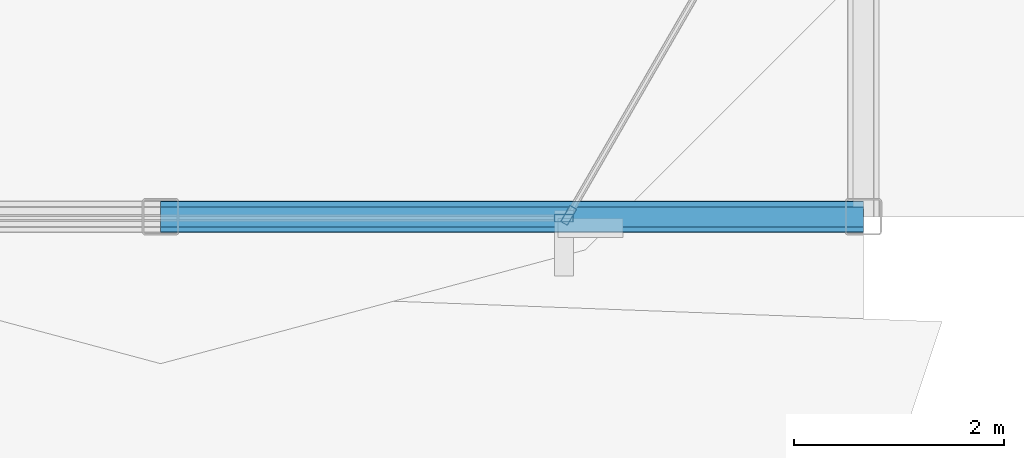
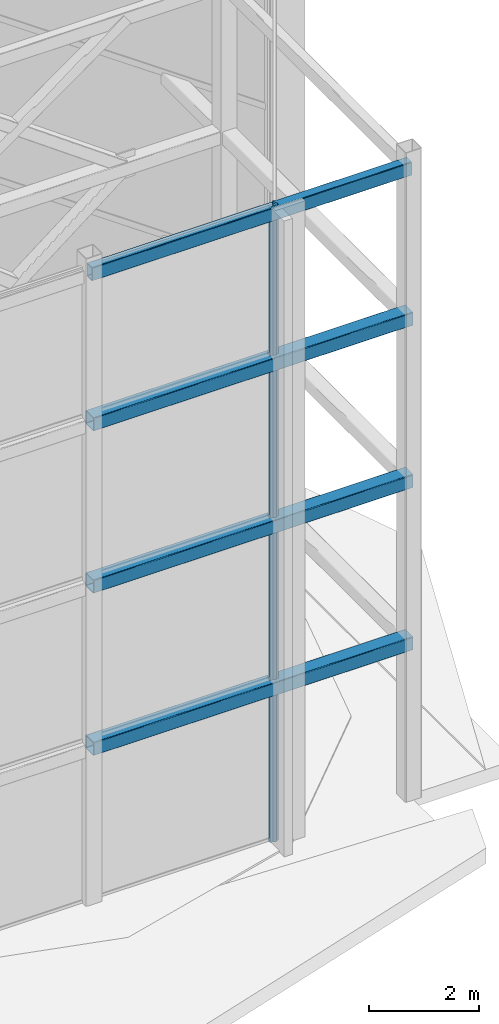
# One storey, part 4 of 24: 4 beams, 2 members, 2 elements without a shape of their own.
"""IFC4 building model written with IfcOpenShell, lengths in metres."""

from ifc_helpers import new_model, si_unit, direction, frame, origin, origin_2d, place, context, subcontext, project, spatial, hollow_rectangle, extrude, material, layer, layer_set, material_profile, profile_set, type_object, element, aggregate, save


model = new_model("IFC4")

# Units and contexts
model_context = context("Model", 3, precision=1e-05, world=origin(), true_north=direction((0.0, 1.0)))
body_context = subcontext(model_context, "Body", "Model", "MODEL_VIEW")
ifc_project = project(units=[si_unit("LENGTHUNIT", "METRE"), si_unit("AREAUNIT", "SQUARE_METRE"), si_unit("VOLUMEUNIT", "CUBIC_METRE"), si_unit("PLANEANGLEUNIT", "RADIAN"), si_unit("MASSUNIT", "GRAM", prefix="KILO")], contexts=[model_context])

# Site, building, storey
site_placement = place(None, origin())
site = spatial("IfcSite", under=ifc_project, at=site_placement, CompositionType="ELEMENT")
building_placement = place(site_placement, origin())
building = spatial("IfcBuilding", under=site, at=building_placement, Name="Solvaryn Broadcast Tower", CompositionType="ELEMENT")
storey_placement = place(building_placement, frame((0.0, 0.0, 307.800048828125)))
storey = spatial("IfcBuildingStorey", under=building, at=storey_placement, Name="Roof Main", CompositionType="ELEMENT", Elevation=307.800048828125)

# Beams
ifc_material_1 = material(Name="Steel ASTM A500 Grade C", Category="steel")
ifc_material_profile_1 = material_profile(ifc_material_1, hollow_rectangle(XDim=0.199951171875, YDim=0.300048828125, WallThickness=0.011962890625, InnerFilletRadius=0.011962890625, OuterFilletRadius=0.02392578125, at=origin_2d()))
ifc_profile_set_1 = profile_set([ifc_material_profile_1], Name="Steel ASTM A500 Grade C")
beam_type_1 = type_object("IfcBeamType", Name="BM-CROWN-CAP", PredefinedType="BEAM", material=ifc_profile_set_1)
beam_placement = place(storey_placement, frame((36.10009765625, 11.199951171875, 13.949951171875), z_axis=(1.0, 0.0, 0.0), x_axis=(0.0, 1.0, 0.0)))
element("IfcBeam", 1, at=beam_placement, inside=storey, type_object=beam_type_1, Name="Roof Main CROWN FRAME Ring Beam ET4-2", PredefinedType="BEAM", context=body_context, shape_type="SweptSolid", body=[
    extrude(hollow_rectangle(XDim=0.199951171875, YDim=0.300048828125, WallThickness=0.011962890625, InnerFilletRadius=0.011962890625, OuterFilletRadius=0.02392578125, at=origin_2d()), origin(), (0.0, 0.0, 1.0), 6.699951171875),
])
ifc_material_2 = material(Name="Steel ASTM A500 Grade C", Category="steel")
ifc_material_profile_2 = material_profile(ifc_material_2, hollow_rectangle(XDim=0.300048828125, YDim=0.300048828125, WallThickness=0.01416015625, InnerFilletRadius=0.01416015625, OuterFilletRadius=0.0283203125, at=origin_2d()))
ifc_profile_set_2 = profile_set([ifc_material_profile_2], Name="Steel ASTM A500 Grade C")
beam_type_2 = type_object("IfcBeamType", Name="BM-CROWN-RING", PredefinedType="BEAM", material=ifc_profile_set_2)
for number, where, z_axis, x_axis, name in (
    (2, (36.10009765625, 11.199951171875, 3.449951171875), (1.0, 0.0, 0.0), (0.0, 1.0, 0.0), "Roof Main CROWN FRAME Ring Beam ET1-2"),
    (3, (36.10009765625, 11.199951171875, 7.050048828125), (1.0, 0.0, 0.0), (0.0, 1.0, 0.0), "Roof Main CROWN FRAME Ring Beam ET2-2"),
    (4, (36.10009765625, 11.199951171875, 10.64990234375), (1.0, 0.0, 0.0), (0.0, 1.0, 0.0), "Roof Main CROWN FRAME Ring Beam ET3-2"),
):
    element("IfcBeam", number, at=place(storey_placement, frame(where, z_axis=z_axis, x_axis=x_axis)), inside=storey, type_object=beam_type_2, Name=name, PredefinedType="BEAM", context=body_context, shape_type="SweptSolid", body=[
        extrude(hollow_rectangle(XDim=0.300048828125, YDim=0.300048828125, WallThickness=0.01416015625, InnerFilletRadius=0.01416015625, OuterFilletRadius=0.0283203125, at=origin_2d()), origin(), (0.0, 0.0, 1.0), 6.699951171875),
    ])

# Curtain wall, member
ifc_material_3 = material(Name="Aluminium and Terracotta Unitised Curtain Wall", Category="masonry")
ifc_layer = layer(ifc_material_3, 0.2099609375)
ifc_layer_set = layer_set([ifc_layer], Name="CW-SYS6-CROWN")
curtain_wall_type = type_object("IfcCurtainWallType", Name="CW-SYS6-CROWN", PredefinedType="NOTDEFINED", material=ifc_layer_set)
curtain_wall_1_placement = place(storey_placement, origin())
curtain_wall_1 = element("IfcCurtainWall", 5, at=curtain_wall_1_placement, inside=storey, type_object=curtain_wall_type, Name="Roof Main Split-Top Crown Curtain Wall E5", PredefinedType="NOTDEFINED")
ifc_material_4 = material(Name="Anodised Aluminium 6063-T6", Category="aluminium")
ifc_material_profile_3 = material_profile(ifc_material_4, hollow_rectangle(XDim=0.074951171875, YDim=0.179931640625, WallThickness=0.00390625, InnerFilletRadius=0.00390625, OuterFilletRadius=0.008056640625, at=origin_2d()))
ifc_profile_set_3 = profile_set([ifc_material_profile_3], Name="Anodised Aluminium 6063-T6")
member_type = type_object("IfcMemberType", Name="CW-MUL-180", PredefinedType="MULLION", material=ifc_profile_set_3)
member_1_placement = place(storey_placement, frame((39.945068359375, 11.18798828125, 0.0), z_axis=(0.0, 0.0, 1.0), x_axis=(0.0, 1.0, 0.0)))
member_1 = element("IfcMember", 6, at=member_1_placement, type_object=member_type, Name="CWS6 mullion 2", PredefinedType="MULLION", context=body_context, shape_type="SweptSolid", body=[
    extrude(hollow_rectangle(XDim=0.074951171875, YDim=0.179931640625, WallThickness=0.00390625, InnerFilletRadius=0.00390625, OuterFilletRadius=0.008056640625, at=origin_2d()), origin(), (0.0, 0.0, 1.0), 14.099853515625),
])
aggregate(curtain_wall_1, [member_1])

curtain_wall_2_placement = place(storey_placement, origin())
curtain_wall_2 = element("IfcCurtainWall", 7, at=curtain_wall_2_placement, inside=storey, type_object=curtain_wall_type, Name="Roof Main Split-Top Crown Curtain Wall E6", PredefinedType="NOTDEFINED")
member_2_placement = place(storey_placement, frame((39.989990234375, 11.2138671875, 0.0), z_axis=(0.0, 0.0, 1.0), x_axis=(-0.866035181372, 0.499983064339, 0.0)))
member_2 = element("IfcMember", 8, at=member_2_placement, type_object=member_type, Name="CWS6 mullion 1", PredefinedType="MULLION", context=body_context, shape_type="SweptSolid", body=[
    extrude(hollow_rectangle(XDim=0.074951171875, YDim=0.179931640625, WallThickness=0.00390625, InnerFilletRadius=0.00390625, OuterFilletRadius=0.008056640625, at=origin_2d()), origin(), (0.0, 0.0, 1.0), 14.099853515625),
])
aggregate(curtain_wall_2, [member_2])

save(model, "model.ifc")
